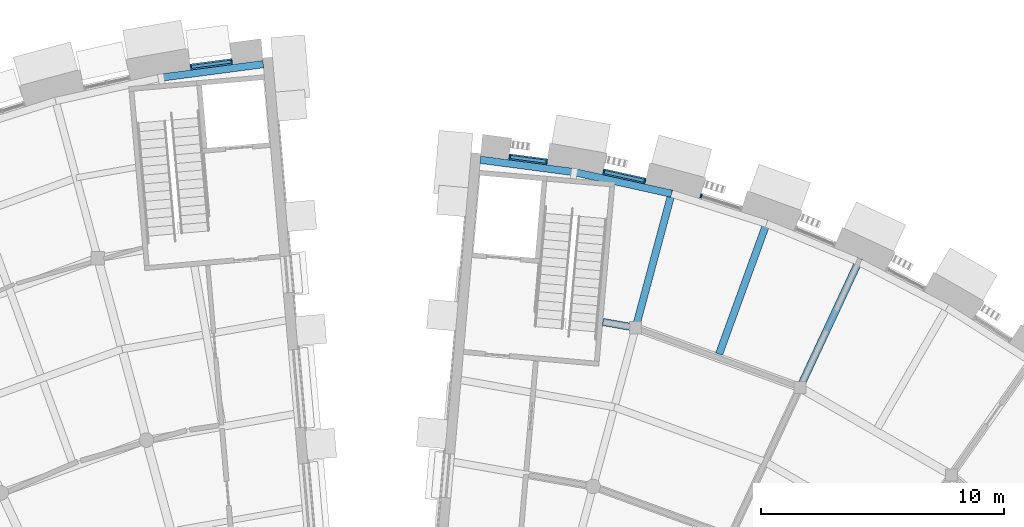
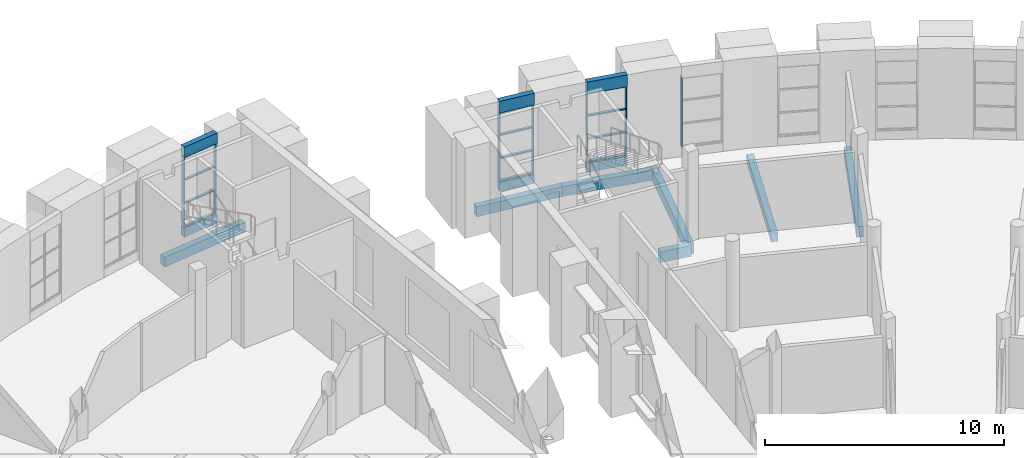
# One storey, part 13 of 50: 19 members, 13 beams, 4 elements without a shape of their own.
"""IFC4 building model written with IfcOpenShell, lengths in metres."""

import ifcopenshell
import ifcopenshell.guid

model = None  # the IFC model being written
_history = None  # IfcOwnerHistory: only IFC2X3 demands one
_inside = {}  # id of a spatial element -> (the spatial element, [elements in it])
_under = {}  # id of a project, library or spatial element -> (it, [spatial elements below it])
_declared = {}  # id of a project -> (the project, [libraries it declares])
_typed = {}  # id of a type object -> (the type object, [elements of that type])
_made_of = {}  # id of a material, layer set ... -> (it, [elements and type objects made of it])


def new_model(schema):
    """Start an empty IFC model of exactly this schema.

    Asked for "IFC4X3", IfcOpenShell would pick the latest addendum, in which some entities
    have other attributes; the version numbers below select the first issue.
    IFC2X3 requires an IfcOwnerHistory on every rooted entity: one is made here for all.
    """
    global model, _history
    if schema == "IFC4X3":
        model = ifcopenshell.file(schema_version=(4, 3, 0, 0))
    else:
        model = ifcopenshell.file(schema=schema)
    _inside.clear()
    _under.clear()
    _declared.clear()
    _typed.clear()
    _made_of.clear()
    _history = None
    if model.schema == "IFC2X3":
        org = make("IfcOrganization", Name="unknown")
        user = make(
            "IfcPersonAndOrganization",
            ThePerson=make("IfcPerson", FamilyName="unknown"),
            TheOrganization=org,
        )
        app = make(
            "IfcApplication",
            ApplicationDeveloper=org,
            Version="unknown",
            ApplicationFullName="unknown",
            ApplicationIdentifier="unknown",
        )
        _history = make(
            "IfcOwnerHistory",
            OwningUser=user,
            OwningApplication=app,
            ChangeAction="ADDED",
            CreationDate=0,
        )
    return model


def make(cls, **values):
    """One entity of the class cls with the attributes given. An attribute that is None is left unset."""
    return model.create_entity(
        cls, **{name: value for name, value in values.items() if value is not None}
    )


def rooted(cls, **values):
    """An entity with a GlobalId (a new one), such as an element, a storey or a relation."""
    return make(cls, GlobalId=ifcopenshell.guid.new(), OwnerHistory=_history, **values)


def si_unit(unit_type, name, prefix=None):
    """IfcSIUnit, for example si_unit("LENGTHUNIT", "METRE", prefix="MILLI")."""
    return make("IfcSIUnit", UnitType=unit_type, Prefix=prefix, Name=name)


def assignment(units):
    """IfcUnitAssignment: the units of a project."""
    return None if units is None else make("IfcUnitAssignment", Units=units)


def point(xyz):
    """IfcCartesianPoint."""
    return None if xyz is None else make("IfcCartesianPoint", Coordinates=xyz)


def direction(xyz):
    """IfcDirection."""
    return None if xyz is None else make("IfcDirection", DirectionRatios=xyz)


def frame(location, z_axis=None, x_axis=None):
    """IfcAxis2Placement3D, a coordinate frame: its origin and axes. An axis left out is left unset."""
    return make(
        "IfcAxis2Placement3D",
        Location=point(location),
        Axis=direction(z_axis),
        RefDirection=direction(x_axis),
    )


def frame_2d(location, x_axis=None):
    """IfcAxis2Placement2D, a coordinate frame in the plane: its origin and x axis."""
    return make(
        "IfcAxis2Placement2D", Location=point(location), RefDirection=direction(x_axis)
    )


def origin():
    """The frame at (0, 0, 0) with its axes left unset."""
    return frame((0.0, 0.0, 0.0))


def origin_2d():
    """The frame at (0, 0) in the plane with its x axis left unset."""
    return frame_2d((0.0, 0.0))


def place(relative_to, where):
    """IfcLocalPlacement: puts the frame where relative to a parent placement (None: the world)."""
    return make(
        "IfcLocalPlacement", PlacementRelTo=relative_to, RelativePlacement=where
    )


def context(
    kind, dimensions, precision=None, world=None, true_north=None, identifier=None
):
    """IfcGeometricRepresentationContext, for example the 3D "Model" context."""
    return make(
        "IfcGeometricRepresentationContext",
        ContextIdentifier=identifier,
        ContextType=kind,
        CoordinateSpaceDimension=dimensions,
        Precision=precision,
        WorldCoordinateSystem=world,
        TrueNorth=true_north,
    )


def subcontext(parent, identifier, kind, view, scale=None):
    """IfcGeometricRepresentationSubContext, for example "Body" below "Model"."""
    return make(
        "IfcGeometricRepresentationSubContext",
        ContextIdentifier=identifier,
        ContextType=kind,
        ParentContext=parent,
        TargetScale=scale,
        TargetView=view,
    )


def project(units=None, contexts=None):
    """IfcProject with its units and contexts."""
    return rooted(
        "IfcProject",
        Name="project",
        RepresentationContexts=contexts,
        UnitsInContext=assignment(units),
    )


def spatial(cls, under=None, at=None, **own):
    """A site, building, storey or space (cls), placed at a placement, below another one or the project."""
    s = rooted(cls, ObjectPlacement=at, **own)
    if under is not None:
        _under.setdefault(under.id(), (under, []))[1].append(s)
    return s


def profile(cls, at=None, kind="AREA", **sizes):
    """A parametric profile (cls). Its sizes go by their IFC names, for example OverallWidth=200.0."""
    return make(cls, ProfileType=kind, Position=at, **sizes)


def rectangle(**sizes):
    """IfcRectangleProfileDef."""
    return profile("IfcRectangleProfileDef", **sizes)


def extrude(swept, where, along, depth):
    """IfcExtrudedAreaSolid: the profile swept, set in the frame where, extruded along a direction by depth."""
    return make(
        "IfcExtrudedAreaSolid",
        SweptArea=swept,
        Position=where,
        ExtrudedDirection=direction(along),
        Depth=depth,
    )


def shape(context_of_items, identifier, shape_type, items):
    """IfcShapeRepresentation: the items that make up one representation, for example the "Body"."""
    return make(
        "IfcShapeRepresentation",
        ContextOfItems=context_of_items,
        RepresentationIdentifier=identifier,
        RepresentationType=shape_type,
        Items=items,
    )


def material(Name=None, Category=None):
    """IfcMaterial."""
    return make("IfcMaterial", Name=Name, Category=Category)


def layer(
    of_material, thickness, ventilated=None, Name=None, Category=None, Priority=None
):
    """IfcMaterialLayer: one layer of a wall or slab, of a material (None: an air gap)."""
    return make(
        "IfcMaterialLayer",
        Material=of_material,
        LayerThickness=thickness,
        IsVentilated=ventilated,
        Name=Name,
        Category=Category,
        Priority=Priority,
    )


def layer_set(layers, Name=None):
    """IfcMaterialLayerSet."""
    return make("IfcMaterialLayerSet", MaterialLayers=layers, LayerSetName=Name)


def material_profile(
    of_material, cross_section, Name=None, Category=None, Priority=None
):
    """IfcMaterialProfile: a cross section and its material."""
    return make(
        "IfcMaterialProfile",
        Name=Name,
        Material=of_material,
        Profile=cross_section,
        Priority=Priority,
        Category=Category,
    )


def profile_set(profiles, Name=None, composite=None):
    """IfcMaterialProfileSet."""
    return make(
        "IfcMaterialProfileSet",
        Name=Name,
        MaterialProfiles=profiles,
        CompositeProfile=composite,
    )


def made_of(thing, what):
    """Note that an element or type object is made of a material, layer set ...; save() writes the relation."""
    if what is not None:
        _made_of.setdefault(what.id(), (what, []))[1].append(thing)
    return thing


def type_object(cls, material=None, **own):
    """A type object (cls), such as IfcWallType, which elements share."""
    return made_of(rooted(cls, **own), material)


def element(
    cls,
    number,
    at=None,
    inside=None,
    cuts=None,
    type_object=None,
    material=None,
    context=None,
    identifier="Body",
    shape_type=None,
    held_by="IfcProductDefinitionShape",
    body=None,
    shapes=None,
    **own,
):
    """One element of the class cls, such as IfcWall. Its Tag is "e" and its number.

    at: its placement. inside: the storey or other place that contains it. cuts: it is an
    opening in that element (IfcRelVoidsElement). A single representation is given by context,
    identifier, shape_type and body (its items); several are given by shapes. held_by: the class
    of the entity that holds the representations. save() writes the other relations.
    """
    e = rooted(cls, Tag="e%d" % number, ObjectPlacement=at, **own)
    if body is not None:
        shapes = [shape(context, identifier, shape_type, body)]
    if shapes is not None:
        e.Representation = make(held_by, Representations=shapes)
    if inside is not None:
        _inside.setdefault(inside.id(), (inside, []))[1].append(e)
    if cuts is not None:
        rooted(
            "IfcRelVoidsElement", RelatingBuildingElement=cuts, RelatedOpeningElement=e
        )
    if type_object is not None:
        _typed.setdefault(type_object.id(), (type_object, []))[1].append(e)
    return made_of(e, material)


def aggregate(whole, parts):
    """IfcRelAggregates: a whole, such as a stair, and the parts it consists of."""
    return rooted("IfcRelAggregates", RelatingObject=whole, RelatedObjects=parts)


def save(model, path):
    """Write the relations noted so far, then the file.

    IfcRelAggregates (storeys below a building ...), IfcRelContainedInSpatialStructure (elements
    in a storey), IfcRelDefinesByType, IfcRelAssociatesMaterial and IfcRelDeclares: one each for
    every whole, place, type object, material and project.
    """
    for whole, parts in _under.values():
        aggregate(whole, parts)
    for where, things in _inside.values():
        rooted(
            "IfcRelContainedInSpatialStructure",
            RelatedElements=things,
            RelatingStructure=where,
        )
    for kind, things in _typed.values():
        rooted("IfcRelDefinesByType", RelatedObjects=things, RelatingType=kind)
    for what, things in _made_of.values():
        rooted("IfcRelAssociatesMaterial", RelatedObjects=things, RelatingMaterial=what)
    for by, libraries in _declared.values():
        rooted("IfcRelDeclares", RelatingContext=by, RelatedDefinitions=libraries)
    model.write(path)


model = new_model("IFC4")

# Units and contexts
model_context = context("Model", 3, precision=1e-05, world=origin(), true_north=direction((0.0, 1.0)))
body_context = subcontext(model_context, "Body", "Model", "MODEL_VIEW")
ifc_project = project(units=[si_unit("LENGTHUNIT", "METRE"), si_unit("AREAUNIT", "SQUARE_METRE"), si_unit("VOLUMEUNIT", "CUBIC_METRE"), si_unit("PLANEANGLEUNIT", "RADIAN"), si_unit("MASSUNIT", "GRAM", prefix="KILO")], contexts=[model_context])

# Site, building, storey
site_placement = place(None, origin())
site = spatial("IfcSite", under=ifc_project, at=site_placement, CompositionType="ELEMENT")
building_placement = place(site_placement, origin())
building = spatial("IfcBuilding", under=site, at=building_placement, Name="Volute Hill Aquarium", CompositionType="ELEMENT")
storey_placement = place(building_placement, frame((0.0, 0.0, 9.199951171875)))
storey = spatial("IfcBuildingStorey", under=building, at=storey_placement, Name="L03", CompositionType="ELEMENT", Elevation=9.199951171875)

# Beams
ifc_material_1 = material(Name="Concrete C35/45", Category="concrete")
ifc_material_profile_1 = material_profile(ifc_material_1, rectangle(XDim=0.300048828125, YDim=0.550048828125, at=origin_2d()), Name="RC beam 300x550")
ifc_profile_set_1 = profile_set([ifc_material_profile_1], Name="Concrete C35/45")
beam_type_1 = type_object("IfcBeamType", Name="Beam 300x550 C35/45", PredefinedType="BEAM", material=ifc_profile_set_1)
for number, where, z_axis, x_axis, name in (
    (1, (17.448974609375, 37.419189453125, -0.56494140625), (0.422609588136, 0.906311831554, 0.0), (-0.906311831554, 0.422609588136, 0.0), "bm/S5/L03/rad3.12"),
    (2, (10.68603515625, 39.880615234375, -0.56494140625), (0.258815877772, 0.965926674967, 0.0), (-0.965926674967, 0.258815877772, 0.0), "bm/S5/L03/rad4.16"),
):
    element("IfcBeam", number, at=place(storey_placement, frame(where, z_axis=z_axis, x_axis=x_axis)), inside=storey, type_object=beam_type_1, Name=name, PredefinedType="BEAM", context=body_context, shape_type="SweptSolid", body=[
        extrude(rectangle(XDim=0.300048828125, YDim=0.550048828125, at=origin_2d()), origin(), (0.0, 0.0, 1.0), 5.862548828125),
    ])
beam_1_placement = place(storey_placement, frame((10.68603515625, 39.880615234375, -0.56494140625), z_axis=(-0.984805002764, 0.173663774378, 0.0), x_axis=(-0.173663774378, -0.984805002764, 0.0)))
element("IfcBeam", 3, at=beam_1_placement, inside=storey, type_object=beam_type_1, Name="bm/S5/L03/ring3.31", PredefinedType="BEAM", context=body_context, shape_type="SweptSolid", body=[
    extrude(rectangle(XDim=0.300048828125, YDim=0.550048828125, at=origin_2d()), origin(), (0.0, 0.0, 1.0), 1.375),
])

# Curtain wall, member
ifc_material_2 = material(Name="Aluminium", Category="aluminium")
ifc_layer_1 = layer(ifc_material_2, 0.25)
ifc_layer_set_1 = layer_set([ifc_layer_1], Name="Curtain wall niche S5 module 1786")
curtain_wall_type_1 = type_object("IfcCurtainWallType", Name="Curtain wall niche S5 module 1786", PredefinedType="NOTDEFINED", material=ifc_layer_set_1)
curtain_wall_1_placement = place(storey_placement, origin())
curtain_wall_1 = element("IfcCurtainWall", 4, at=curtain_wall_1_placement, inside=storey, type_object=curtain_wall_type_1, Name="Curtain wall CW S5 L03 8", PredefinedType="NOTDEFINED")
ifc_material_3 = material(Name="Aluminium", Category="aluminium")
ifc_material_profile_2 = material_profile(ifc_material_3, rectangle(XDim=0.159912109375, YDim=0.06005859375, at=origin_2d()), Name="Curtain wall mullion S5 60x160")
ifc_profile_set_2 = profile_set([ifc_material_profile_2], Name="Aluminium")
member_type_1 = type_object("IfcMemberType", Name="Curtain wall mullion S5 60x160", PredefinedType="MULLION", material=ifc_profile_set_2)
member_1_placement = place(storey_placement, frame((13.37939453125, 45.30322265625, 0.449951171875), z_axis=(0.0, 0.0, 1.0), x_axis=(-0.300703569139, -0.953717653977, 0.0)))
member_1 = element("IfcMember", 5, at=member_1_placement, type_object=member_type_1, Name="CW mullion 2", PredefinedType="MULLION", context=body_context, shape_type="SweptSolid", body=[
    extrude(rectangle(XDim=0.159912109375, YDim=0.06005859375, at=origin_2d()), origin(), (0.0, 0.0, 1.0), 3.550048828125),
])
aggregate(curtain_wall_1, [member_1])

# Curtain wall, members
curtain_wall_2_placement = place(storey_placement, origin())
curtain_wall_2 = element("IfcCurtainWall", 6, at=curtain_wall_2_placement, inside=storey, type_object=curtain_wall_type_1, Name="Curtain wall CW S5 L03 9", PredefinedType="NOTDEFINED")
member_2_placement = place(storey_placement, frame((11.064697265625, 45.92333984375, 0.449951171875), z_axis=(0.0, 0.0, 1.0), x_axis=(-0.216422253758, -0.976299855617, 0.0)))
member_2 = element("IfcMember", 7, at=member_2_placement, type_object=member_type_1, Name="CW mullion 1", PredefinedType="MULLION", context=body_context, shape_type="SweptSolid", body=[
    extrude(rectangle(XDim=0.159912109375, YDim=0.06005859375, at=origin_2d()), origin(), (0.0, 0.0, 1.0), 3.550048828125),
])
member_3_placement = place(storey_placement, frame((9.3798828125, 46.296875, 0.449951171875), z_axis=(0.0, 0.0, 1.0), x_axis=(-0.216422253758, -0.976299855617, 0.0)))
member_3 = element("IfcMember", 8, at=member_3_placement, type_object=member_type_1, Name="CW mullion 2", PredefinedType="MULLION", context=body_context, shape_type="SweptSolid", body=[
    extrude(rectangle(XDim=0.159912109375, YDim=0.06005859375, at=origin_2d()), origin(), (0.0, 0.0, 1.0), 3.550048828125),
])

ifc_material_4 = material(Name="Aluminium", Category="aluminium")
ifc_layer_2 = layer(ifc_material_4, 0.25)
ifc_layer_set_2 = layer_set([ifc_layer_2], Name="Curtain wall niche S5 module 1585")
curtain_wall_type_2 = type_object("IfcCurtainWallType", Name="Curtain wall niche S5 module 1585", PredefinedType="NOTDEFINED", material=ifc_layer_set_2)
curtain_wall_3_placement = place(storey_placement, origin())
curtain_wall_3 = element("IfcCurtainWall", 9, at=curtain_wall_3_placement, inside=storey, type_object=curtain_wall_type_2, Name="Curtain wall CW S5 L03 10", PredefinedType="NOTDEFINED")
member_4_placement = place(storey_placement, frame((7.020263671875, 46.712890625, 0.449951171875), z_axis=(0.0, 0.0, 1.0), x_axis=(-0.130539029372, -0.991443171246, 0.0)))
member_4 = element("IfcMember", 10, at=member_4_placement, type_object=member_type_1, Name="CW mullion 1", PredefinedType="MULLION", context=body_context, shape_type="SweptSolid", body=[
    extrude(rectangle(XDim=0.159912109375, YDim=0.06005859375, at=origin_2d()), origin(), (0.0, 0.0, 1.0), 3.550048828125),
])
member_5_placement = place(storey_placement, frame((5.5078125, 46.912109375, 0.449951171875), z_axis=(0.0, 0.0, 1.0), x_axis=(-0.130539029372, -0.991443171246, 0.0)))
member_5 = element("IfcMember", 11, at=member_5_placement, type_object=member_type_1, Name="CW mullion 2", PredefinedType="MULLION", context=body_context, shape_type="SweptSolid", body=[
    extrude(rectangle(XDim=0.159912109375, YDim=0.06005859375, at=origin_2d()), origin(), (0.0, 0.0, 1.0), 3.550048828125),
])

ifc_material_5 = material(Name="Aluminium", Category="aluminium")
ifc_layer_3 = layer(ifc_material_5, 0.25)
ifc_layer_set_3 = layer_set([ifc_layer_3], Name="Curtain wall niche S6 module 1734")
curtain_wall_type_3 = type_object("IfcCurtainWallType", Name="Curtain wall niche S6 module 1734", PredefinedType="NOTDEFINED", material=ifc_layer_set_3)
curtain_wall_4_placement = place(storey_placement, origin())
curtain_wall_4 = element("IfcCurtainWall", 12, at=curtain_wall_4_placement, inside=storey, type_object=curtain_wall_type_3, Name="Curtain wall CW S6 L03 1", PredefinedType="NOTDEFINED")
ifc_material_6 = material(Name="Aluminium", Category="aluminium")
ifc_material_profile_3 = material_profile(ifc_material_6, rectangle(XDim=0.169921875, YDim=0.050048828125, at=origin_2d()), Name="Curtain wall mullion S6 50x170")
ifc_profile_set_3 = profile_set([ifc_material_profile_3], Name="Aluminium")
member_type_2 = type_object("IfcMemberType", Name="Curtain wall mullion S6 50x170", PredefinedType="MULLION", material=ifc_profile_set_3)
member_6_placement = place(storey_placement, frame((-5.9443359375, 50.8349609375, 0.449951171875), z_axis=(0.0, 0.0, 1.0), x_axis=(0.130524493298, -0.99144508504, 0.0)))
member_6 = element("IfcMember", 13, at=member_6_placement, type_object=member_type_2, Name="CW mullion 1", PredefinedType="MULLION", context=body_context, shape_type="SweptSolid", body=[
    extrude(rectangle(XDim=0.169921875, YDim=0.050048828125, at=origin_2d()), origin(), (0.0, 0.0, 1.0), 3.60009765625),
])
member_7_placement = place(storey_placement, frame((-7.61376953125, 50.615234375, 0.449951171875), z_axis=(0.0, 0.0, 1.0), x_axis=(0.130524493298, -0.99144508504, 0.0)))
member_7 = element("IfcMember", 14, at=member_7_placement, type_object=member_type_2, Name="CW mullion 2", PredefinedType="MULLION", context=body_context, shape_type="SweptSolid", body=[
    extrude(rectangle(XDim=0.169921875, YDim=0.050048828125, at=origin_2d()), origin(), (0.0, 0.0, 1.0), 3.60009765625),
])

# Member
ifc_material_7 = material(Name="Aluminium", Category="aluminium")
ifc_material_profile_4 = material_profile(ifc_material_7, rectangle(XDim=0.1298828125, YDim=0.06005859375, at=origin_2d()), Name="Curtain wall transom S5 60x130")
ifc_profile_set_4 = profile_set([ifc_material_profile_4], Name="Aluminium")
member_type_3 = type_object("IfcMemberType", Name="Curtain wall transom S5 60x130", PredefinedType="USERDEFINED", material=ifc_profile_set_4)
member_8_placement = place(storey_placement, frame((11.035400390625, 45.929931640625, 0.47998046875), z_axis=(-0.976317934906, 0.216340680366, 0.0), x_axis=(-0.216340680366, -0.976317934906, 0.0)))
member_8 = element("IfcMember", 15, at=member_8_placement, type_object=member_type_3, Name="CW transom 1.1", ObjectType="TRANSOM", PredefinedType="USERDEFINED", context=body_context, shape_type="SweptSolid", body=[
    extrude(rectangle(XDim=0.1298828125, YDim=0.06005859375, at=origin_2d()), origin(), (0.0, 0.0, 1.0), 1.665771484375),
])

member_9_placement = place(storey_placement, frame((11.035400390625, 45.929931640625, 1.63330078125), z_axis=(-0.976317934906, 0.216340680366, 0.0), x_axis=(-0.216340680366, -0.976317934906, 0.0)))
member_9 = element("IfcMember", 16, at=member_9_placement, type_object=member_type_3, Name="CW transom 1.2", ObjectType="TRANSOM", PredefinedType="USERDEFINED", context=body_context, shape_type="SweptSolid", body=[
    extrude(rectangle(XDim=0.1298828125, YDim=0.06005859375, at=origin_2d()), origin(), (0.0, 0.0, 1.0), 1.665771484375),
])

member_10_placement = place(storey_placement, frame((11.035400390625, 45.929931640625, 2.816650390625), z_axis=(-0.976317934906, 0.216340680366, 0.0), x_axis=(-0.216340680366, -0.976317934906, 0.0)))
member_10 = element("IfcMember", 17, at=member_10_placement, type_object=member_type_3, Name="CW transom 1.3", ObjectType="TRANSOM", PredefinedType="USERDEFINED", context=body_context, shape_type="SweptSolid", body=[
    extrude(rectangle(XDim=0.1298828125, YDim=0.06005859375, at=origin_2d()), origin(), (0.0, 0.0, 1.0), 1.665771484375),
])

member_11_placement = place(storey_placement, frame((11.035400390625, 45.929931640625, 3.969970703125), z_axis=(-0.976317934906, 0.216340680366, 0.0), x_axis=(-0.216340680366, -0.976317934906, 0.0)))
member_11 = element("IfcMember", 18, at=member_11_placement, type_object=member_type_3, Name="CW transom 1.4", ObjectType="TRANSOM", PredefinedType="USERDEFINED", context=body_context, shape_type="SweptSolid", body=[
    extrude(rectangle(XDim=0.1298828125, YDim=0.06005859375, at=origin_2d()), origin(), (0.0, 0.0, 1.0), 1.665771484375),
])

aggregate(curtain_wall_2, [member_2, member_3, member_8, member_9, member_10, member_11])

member_12_placement = place(storey_placement, frame((6.990478515625, 46.716796875, 0.47998046875), z_axis=(-0.99143330185, 0.130613965493, 0.0), x_axis=(-0.130613965493, -0.99143330185, 0.0)))
member_12 = element("IfcMember", 19, at=member_12_placement, type_object=member_type_3, Name="CW transom 1.1", ObjectType="TRANSOM", PredefinedType="USERDEFINED", context=body_context, shape_type="SweptSolid", body=[
    extrude(rectangle(XDim=0.1298828125, YDim=0.06005859375, at=origin_2d()), origin(), (0.0, 0.0, 1.0), 1.46533203125),
])

member_13_placement = place(storey_placement, frame((6.990478515625, 46.716796875, 1.63330078125), z_axis=(-0.99143330185, 0.130613965493, 0.0), x_axis=(-0.130613965493, -0.99143330185, 0.0)))
member_13 = element("IfcMember", 20, at=member_13_placement, type_object=member_type_3, Name="CW transom 1.2", ObjectType="TRANSOM", PredefinedType="USERDEFINED", context=body_context, shape_type="SweptSolid", body=[
    extrude(rectangle(XDim=0.1298828125, YDim=0.06005859375, at=origin_2d()), origin(), (0.0, 0.0, 1.0), 1.46533203125),
])

member_14_placement = place(storey_placement, frame((6.990478515625, 46.716796875, 2.816650390625), z_axis=(-0.99143330185, 0.130613965493, 0.0), x_axis=(-0.130613965493, -0.99143330185, 0.0)))
member_14 = element("IfcMember", 21, at=member_14_placement, type_object=member_type_3, Name="CW transom 1.3", ObjectType="TRANSOM", PredefinedType="USERDEFINED", context=body_context, shape_type="SweptSolid", body=[
    extrude(rectangle(XDim=0.1298828125, YDim=0.06005859375, at=origin_2d()), origin(), (0.0, 0.0, 1.0), 1.46533203125),
])

member_15_placement = place(storey_placement, frame((6.990478515625, 46.716796875, 3.969970703125), z_axis=(-0.99143330185, 0.130613965493, 0.0), x_axis=(-0.130613965493, -0.99143330185, 0.0)))
member_15 = element("IfcMember", 22, at=member_15_placement, type_object=member_type_3, Name="CW transom 1.4", ObjectType="TRANSOM", PredefinedType="USERDEFINED", context=body_context, shape_type="SweptSolid", body=[
    extrude(rectangle(XDim=0.1298828125, YDim=0.06005859375, at=origin_2d()), origin(), (0.0, 0.0, 1.0), 1.46533203125),
])

aggregate(curtain_wall_3, [member_4, member_5, member_12, member_13, member_14, member_15])

ifc_material_8 = material(Name="Aluminium", Category="aluminium")
ifc_material_profile_5 = material_profile(ifc_material_8, rectangle(XDim=0.1201171875, YDim=0.050048828125, at=origin_2d()), Name="Curtain wall transom S6 50x120")
ifc_profile_set_5 = profile_set([ifc_material_profile_5], Name="Aluminium")
member_type_4 = type_object("IfcMemberType", Name="Curtain wall transom S6 50x120", PredefinedType="USERDEFINED", material=ifc_profile_set_5)
member_16_placement = place(storey_placement, frame((-5.96923828125, 50.83154296875, 0.47509765625), z_axis=(-0.991452260702, -0.130469976423, 0.0), x_axis=(0.130469976423, -0.991452260702, 0.0)))
member_16 = element("IfcMember", 23, at=member_16_placement, type_object=member_type_4, Name="CW transom 1.1", ObjectType="TRANSOM", PredefinedType="USERDEFINED", context=body_context, shape_type="SweptSolid", body=[
    extrude(rectangle(XDim=0.1201171875, YDim=0.050048828125, at=origin_2d()), origin(), (0.0, 0.0, 1.0), 1.633544921875),
])

member_17_placement = place(storey_placement, frame((-5.96923828125, 50.83154296875, 1.650146484375), z_axis=(-0.991452260702, -0.130469976423, 0.0), x_axis=(0.130469976423, -0.991452260702, 0.0)))
member_17 = element("IfcMember", 24, at=member_17_placement, type_object=member_type_4, Name="CW transom 1.2", ObjectType="TRANSOM", PredefinedType="USERDEFINED", context=body_context, shape_type="SweptSolid", body=[
    extrude(rectangle(XDim=0.1201171875, YDim=0.050048828125, at=origin_2d()), origin(), (0.0, 0.0, 1.0), 1.633544921875),
])

member_18_placement = place(storey_placement, frame((-5.96923828125, 50.83154296875, 2.85009765625), z_axis=(-0.991452260702, -0.130469976423, 0.0), x_axis=(0.130469976423, -0.991452260702, 0.0)))
member_18 = element("IfcMember", 25, at=member_18_placement, type_object=member_type_4, Name="CW transom 1.3", ObjectType="TRANSOM", PredefinedType="USERDEFINED", context=body_context, shape_type="SweptSolid", body=[
    extrude(rectangle(XDim=0.1201171875, YDim=0.050048828125, at=origin_2d()), origin(), (0.0, 0.0, 1.0), 1.633544921875),
])

member_19_placement = place(storey_placement, frame((-5.96923828125, 50.83154296875, 4.025146484375), z_axis=(-0.991452260702, -0.130469976423, 0.0), x_axis=(0.130469976423, -0.991452260702, 0.0)))
member_19 = element("IfcMember", 26, at=member_19_placement, type_object=member_type_4, Name="CW transom 1.4", ObjectType="TRANSOM", PredefinedType="USERDEFINED", context=body_context, shape_type="SweptSolid", body=[
    extrude(rectangle(XDim=0.1201171875, YDim=0.050048828125, at=origin_2d()), origin(), (0.0, 0.0, 1.0), 1.633544921875),
])

aggregate(curtain_wall_4, [member_6, member_7, member_16, member_17, member_18, member_19])

# Beams
ifc_material_9 = material(Name="Concrete C35/45", Category="concrete")
ifc_material_profile_6 = material_profile(ifc_material_9, rectangle(XDim=0.300048828125, YDim=0.5, at=origin_2d()), Name="RC edge beam 300x500")
ifc_profile_set_6 = profile_set([ifc_material_profile_6], Name="Concrete C35/45")
beam_type_2 = type_object("IfcBeamType", Name="Edge beam 300x500 C35/45", PredefinedType="BEAM", material=ifc_profile_set_6)
beam_2_placement = place(storey_placement, frame((12.16455078125, 45.3984375, -0.5400390625), z_axis=(-0.97629760978, 0.216432384677, 0.0), x_axis=(-0.216432384677, -0.97629760978, 0.0)))
element("IfcBeam", 27, at=beam_2_placement, inside=storey, type_object=beam_type_2, Name="bm/S5/L03/edgeO.50", PredefinedType="BEAM", context=body_context, shape_type="SweptSolid", body=[
    extrude(rectangle(XDim=0.300048828125, YDim=0.5, at=origin_2d()), origin(), (0.0, 0.0, 1.0), 4.100341796875),
])
beam_3_placement = place(storey_placement, frame((8.161376953125, 46.285888671875, -0.5400390625), z_axis=(-0.99144470424, 0.130527385764, 0.0), x_axis=(-0.130527385764, -0.99144470424, 0.0)))
element("IfcBeam", 28, at=beam_3_placement, inside=storey, type_object=beam_type_2, Name="bm/S5/L03/edgeO.51", PredefinedType="BEAM", context=body_context, shape_type="SweptSolid", body=[
    extrude(rectangle(XDim=0.300048828125, YDim=0.5, at=origin_2d()), origin(), (0.0, 0.0, 1.0), 3.89990234375),
])
beam_4_placement = place(storey_placement, frame((-4.63916015625, 50.72998046875, -0.570068359375), z_axis=(-0.991439606288, -0.130566102354, 0.0), x_axis=(0.130566102354, -0.991439606288, 0.0)))
element("IfcBeam", 29, at=beam_4_placement, inside=storey, type_object=beam_type_2, Name="bm/S6/L03/edgeO.42", PredefinedType="BEAM", context=body_context, shape_type="SweptSolid", body=[
    extrude(rectangle(XDim=0.300048828125, YDim=0.5, at=origin_2d()), origin(), (0.0, 0.0, 1.0), 4.24462890625),
])
ifc_material_10 = material(Name="Concrete C35/45", Category="concrete")
ifc_material_profile_7 = material_profile(ifc_material_10, rectangle(XDim=0.300048828125, YDim=0.449951171875, at=origin_2d()), Name="RC joist 300x450")
ifc_profile_set_7 = profile_set([ifc_material_profile_7], Name="Concrete C35/45")
beam_type_3 = type_object("IfcBeamType", Name="Joist 300x450 C35/45", PredefinedType="BEAM", material=ifc_profile_set_7)
beam_5_placement = place(storey_placement, frame((14.12109375, 38.797607421875, -0.514892578125), z_axis=(0.342033956796, 0.939687592979, 0.0), x_axis=(-0.939687592979, 0.342033956796, 0.0)))
element("IfcBeam", 30, at=beam_5_placement, inside=storey, type_object=beam_type_3, Name="bm/S5/L03/rjst4", PredefinedType="BEAM", context=body_context, shape_type="SweptSolid", body=[
    extrude(rectangle(XDim=0.300048828125, YDim=0.449951171875, at=origin_2d()), origin(), (0.0, 0.0, 1.0), 5.8623046875),
])
ifc_material_11 = material(Name="Concrete C35/45", Category="concrete")
ifc_material_profile_8 = material_profile(ifc_material_11, rectangle(XDim=0.25, YDim=0.550048828125, at=origin_2d()), Name="RC beam 250x550")
ifc_profile_set_8 = profile_set([ifc_material_profile_8], Name="Concrete C35/45")
beam_type_4 = type_object("IfcBeamType", Name="Niche head beam RC 250x550 C35/45", PredefinedType="BEAM", material=ifc_profile_set_8)
beam_6_placement = place(storey_placement, frame((-5.919677734375, 50.838134765625, 4.324951171875), z_axis=(-0.991441828204, -0.130549229367, 0.0), x_axis=(0.130549229367, -0.991441828204, 0.0)))
element("IfcBeam", 31, at=beam_6_placement, inside=storey, type_object=beam_type_4, Name="Niche head beam OWB S6 L03 1", PredefinedType="BEAM", context=body_context, shape_type="SweptSolid", body=[
    extrude(rectangle(XDim=0.25, YDim=0.550048828125, at=origin_2d()), origin(), (0.0, 0.0, 1.0), 1.733642578125),
])
ifc_material_12 = material(Name="Concrete C35/45", Category="concrete")
ifc_material_profile_9 = material_profile(ifc_material_12, rectangle(XDim=0.25, YDim=0.60009765625, at=origin_2d()), Name="RC beam 250x600")
ifc_profile_set_9 = profile_set([ifc_material_profile_9], Name="Concrete C35/45")
beam_type_5 = type_object("IfcBeamType", Name="Niche head beam RC 250x600 C35/45", PredefinedType="BEAM", material=ifc_profile_set_9)
beam_7_placement = place(storey_placement, frame((11.093994140625, 45.9169921875, 4.300048828125), z_axis=(-0.97629311454, 0.216452661109, 0.0), x_axis=(-0.216452661109, -0.97629311454, 0.0)))
element("IfcBeam", 32, at=beam_7_placement, inside=storey, type_object=beam_type_5, Name="Niche head beam OWB S5 L03 9", PredefinedType="BEAM", context=body_context, shape_type="SweptSolid", body=[
    extrude(rectangle(XDim=0.25, YDim=0.60009765625, at=origin_2d()), origin(), (0.0, 0.0, 1.0), 1.785400390625),
])
beam_8_placement = place(storey_placement, frame((7.0498046875, 46.708984375, 4.300048828125), z_axis=(-0.991436464923, 0.130589953752, 0.0), x_axis=(-0.130589953752, -0.991436464923, 0.0)))
element("IfcBeam", 33, at=beam_8_placement, inside=storey, type_object=beam_type_5, Name="Niche head beam OWB S5 L03 10", PredefinedType="BEAM", context=body_context, shape_type="SweptSolid", body=[
    extrude(rectangle(XDim=0.25, YDim=0.60009765625, at=origin_2d()), origin(), (0.0, 0.0, 1.0), 1.58544921875),
])
ifc_material_13 = material(Name="Concrete C35/45", Category="concrete")
ifc_material_profile_10 = material_profile(ifc_material_13, rectangle(XDim=0.25, YDim=0.449951171875, at=origin_2d()), Name="RC beam 250x450")
ifc_profile_set_10 = profile_set([ifc_material_profile_10], Name="Concrete C35/45")
beam_type_6 = type_object("IfcBeamType", Name="Niche sill beam RC 250x450 C35/45", PredefinedType="BEAM", material=ifc_profile_set_10)
beam_9_placement = place(storey_placement, frame((11.093994140625, 45.9169921875, 0.22509765625), z_axis=(-0.97629311454, 0.216452661109, 0.0), x_axis=(-0.216452661109, -0.97629311454, 0.0)))
element("IfcBeam", 34, at=beam_9_placement, inside=storey, type_object=beam_type_6, Name="Niche sill beam OWB S5 L03 9", PredefinedType="BEAM", context=body_context, shape_type="SweptSolid", body=[
    extrude(rectangle(XDim=0.25, YDim=0.449951171875, at=origin_2d()), origin(), (0.0, 0.0, 1.0), 1.785400390625),
])
beam_10_placement = place(storey_placement, frame((7.0498046875, 46.708984375, 0.22509765625), z_axis=(-0.991436464923, 0.130589953752, 0.0), x_axis=(-0.130589953752, -0.991436464923, 0.0)))
element("IfcBeam", 35, at=beam_10_placement, inside=storey, type_object=beam_type_6, Name="Niche sill beam OWB S5 L03 10", PredefinedType="BEAM", context=body_context, shape_type="SweptSolid", body=[
    extrude(rectangle(XDim=0.25, YDim=0.449951171875, at=origin_2d()), origin(), (0.0, 0.0, 1.0), 1.58544921875),
])
beam_11_placement = place(storey_placement, frame((-5.919677734375, 50.838134765625, 0.22509765625), z_axis=(-0.991441828204, -0.130549229367, 0.0), x_axis=(0.130549229367, -0.991441828204, 0.0)))
element("IfcBeam", 36, at=beam_11_placement, inside=storey, type_object=beam_type_6, Name="Niche sill beam OWB S6 L03 1", PredefinedType="BEAM", context=body_context, shape_type="SweptSolid", body=[
    extrude(rectangle(XDim=0.25, YDim=0.449951171875, at=origin_2d()), origin(), (0.0, 0.0, 1.0), 1.733642578125),
])

save(model, "model.ifc")
